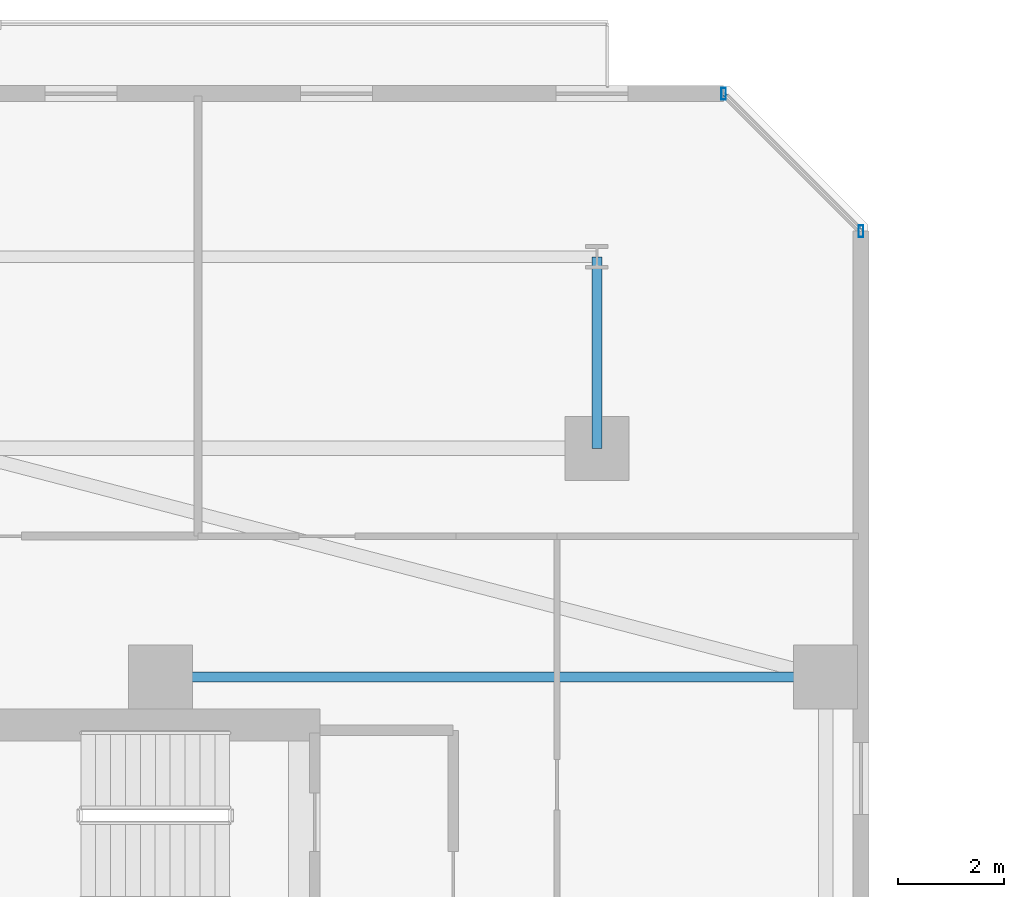
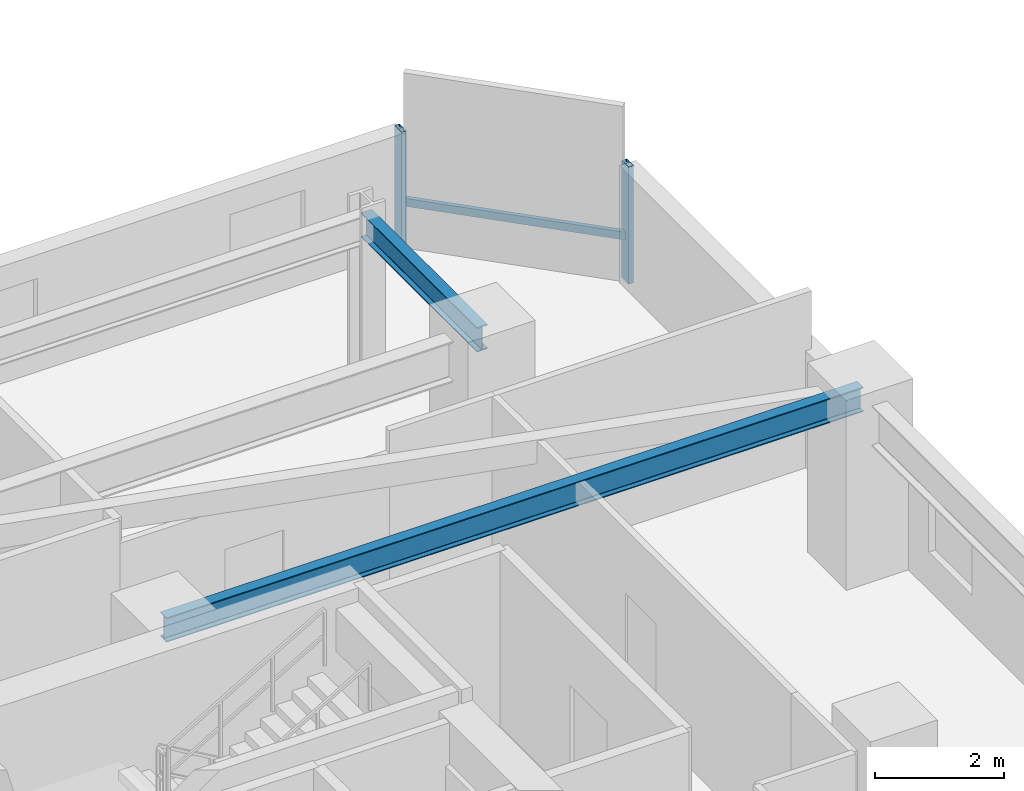
# One storey, part 10 of 36: 3 members, 2 beams, 1 element without a shape of its own.
"""IFC4 building model written with IfcOpenShell, lengths in metres."""

from ifc_helpers import new_model, si_unit, direction, frame, origin, origin_2d, place, context, subcontext, project, spatial, hollow_rectangle, i_section, extrude, material, material_profile, profile_set, type_object, element, aggregate, save


model = new_model("IFC4")

# Units and contexts
model_context = context("Model", 3, precision=1e-05, world=origin(), true_north=direction((0.0, 1.0)))
body_context = subcontext(model_context, "Body", "Model", "MODEL_VIEW")
ifc_project = project(units=[si_unit("LENGTHUNIT", "METRE"), si_unit("AREAUNIT", "SQUARE_METRE"), si_unit("VOLUMEUNIT", "CUBIC_METRE"), si_unit("PLANEANGLEUNIT", "RADIAN"), si_unit("MASSUNIT", "GRAM", prefix="KILO")], contexts=[model_context])

# Site, building, storey
site_placement = place(None, origin())
site = spatial("IfcSite", under=ifc_project, at=site_placement, CompositionType="ELEMENT")
building_placement = place(site_placement, origin())
building = spatial("IfcBuilding", under=site, at=building_placement, Name="Thornwick Lancets Civic Towers", CompositionType="ELEMENT")
storey_placement = place(building_placement, frame((0.0, 0.0, 116.10009765625)))
storey = spatial("IfcBuildingStorey", under=building, at=storey_placement, Name="L30", CompositionType="ELEMENT", Elevation=116.10009765625)

# Beams
ifc_material_1 = material(Name="Steel S355JR", Category="steel")
ifc_material_profile_1 = material_profile(ifc_material_1, i_section(OverallWidth=0.19189453125, OverallDepth=0.46337890625, WebThickness=0.010498046875, FlangeThickness=0.017578125, FilletRadius=0.01025390625, at=origin_2d()), Name="UKB 457x191x89")
ifc_profile_set_1 = profile_set([ifc_material_profile_1], Name="Steel S355JR")
beam_type = type_object("IfcBeamType", Name="BM_JOIST_457_89", PredefinedType="JOIST", material=ifc_profile_set_1)
beam_1_placement = place(storey_placement, frame((30.300048828125, 40.0, 3.108154296875), z_axis=(1.0, 0.0, 0.0), x_axis=(0.0, 1.0, 0.0)))
element("IfcBeam", 1, at=beam_1_placement, inside=storey, type_object=beam_type, Name="BM-RADIN-L30-A06", PredefinedType="JOIST", context=body_context, shape_type="SweptSolid", body=[
    extrude(i_section(OverallWidth=0.19189453125, OverallDepth=0.46337890625, WebThickness=0.010498046875, FlangeThickness=0.017578125, FilletRadius=0.01025390625, at=origin_2d()), origin(), (0.0, 0.0, 1.0), 12.5),
])
beam_2_placement = place(storey_placement, frame((38.5, 44.300048828125, 3.108154296875), z_axis=(0.0, 1.0, 0.0), x_axis=(-1.0, 0.0, 0.0)))
element("IfcBeam", 2, at=beam_2_placement, inside=storey, type_object=beam_type, Name="BM-RAD-L30-A09", PredefinedType="JOIST", context=body_context, shape_type="SweptSolid", body=[
    extrude(i_section(OverallWidth=0.19189453125, OverallDepth=0.46337890625, WebThickness=0.010498046875, FlangeThickness=0.017578125, FilletRadius=0.01025390625, at=origin_2d()), origin(), (0.0, 0.0, 1.0), 3.599853515625),
])

# Curtain wall, members
ifc_material_2 = material(Name="Low-zone chamfered-corner unitised glass curtain wall", Category="glass")
curtain_wall_type = type_object("IfcCurtainWallType", Name="CW_SYS_03", PredefinedType="NOTDEFINED", material=ifc_material_2)
curtain_wall_placement = place(storey_placement, origin())
curtain_wall = element("IfcCurtainWall", 3, at=curtain_wall_placement, inside=storey, type_object=curtain_wall_type, Name="L30 Curtain Wall CW-L30-A-E3", PredefinedType="NOTDEFINED")
ifc_material_3 = material(Name="Thermally broken bronze aluminium S355", Category="steel")
ifc_material_profile_2 = material_profile(ifc_material_3, hollow_rectangle(XDim=0.090087890625, YDim=0.219970703125, WallThickness=0.00634765625, at=origin_2d()), Name="RHS 220x90x6.3")
ifc_profile_set_2 = profile_set([ifc_material_profile_2], Name="Thermally broken bronze aluminium S355")
member_type_1 = type_object("IfcMemberType", Name="CW_MUL_220", PredefinedType="MULLION", material=ifc_profile_set_2)
member_1_placement = place(storey_placement, frame((43.464599609375, 48.38134765625, 0.0), z_axis=(0.0, 0.0, 1.0), x_axis=(1.0, 0.0, 0.0)))
member_1 = element("IfcMember", 4, at=member_1_placement, type_object=member_type_1, Name="CW-L30-A-E3 Mullion 0", PredefinedType="MULLION", context=body_context, shape_type="SweptSolid", body=[
    extrude(hollow_rectangle(XDim=0.090087890625, YDim=0.219970703125, WallThickness=0.00634765625, at=origin_2d()), origin(), (0.0, 0.0, 1.0), 2.219970703125),
])
member_2_placement = place(storey_placement, frame((40.88134765625, 50.964599609375, 0.0), z_axis=(0.0, 0.0, 1.0), x_axis=(1.0, 0.0, 0.0)))
member_2 = element("IfcMember", 5, at=member_2_placement, type_object=member_type_1, Name="CW-L30-A-E3 Mullion 1", PredefinedType="MULLION", context=body_context, shape_type="SweptSolid", body=[
    extrude(hollow_rectangle(XDim=0.090087890625, YDim=0.219970703125, WallThickness=0.00634765625, at=origin_2d()), origin(), (0.0, 0.0, 1.0), 2.219970703125),
])
ifc_material_profile_3 = material_profile(ifc_material_3, hollow_rectangle(XDim=0.074951171875, YDim=0.14990234375, WallThickness=0.0048828125, at=origin_2d()), Name="RHS 150x75x5")
ifc_profile_set_3 = profile_set([ifc_material_profile_3], Name="Thermally broken bronze aluminium S355")
member_type_2 = type_object("IfcMemberType", Name="CW_TRN_150", PredefinedType="USERDEFINED", material=ifc_profile_set_3)
member_3_placement = place(storey_placement, frame((43.45068359375, 48.3955078125, 0.849853515625), z_axis=(-0.707106781187, 0.707106781187, 0.0), x_axis=(-0.707106781187, -0.707106781187, 0.0)))
member_3 = element("IfcMember", 6, at=member_3_placement, type_object=member_type_2, Name="CW-L30-A-E3 Transom 0", ObjectType="TRANSOM", PredefinedType="USERDEFINED", context=body_context, shape_type="SweptSolid", body=[
    extrude(hollow_rectangle(XDim=0.074951171875, YDim=0.14990234375, WallThickness=0.0048828125, at=origin_2d()), origin(), (0.0, 0.0, 1.0), 3.613525390625),
])
aggregate(curtain_wall, [member_1, member_2, member_3])

save(model, "model.ifc")
